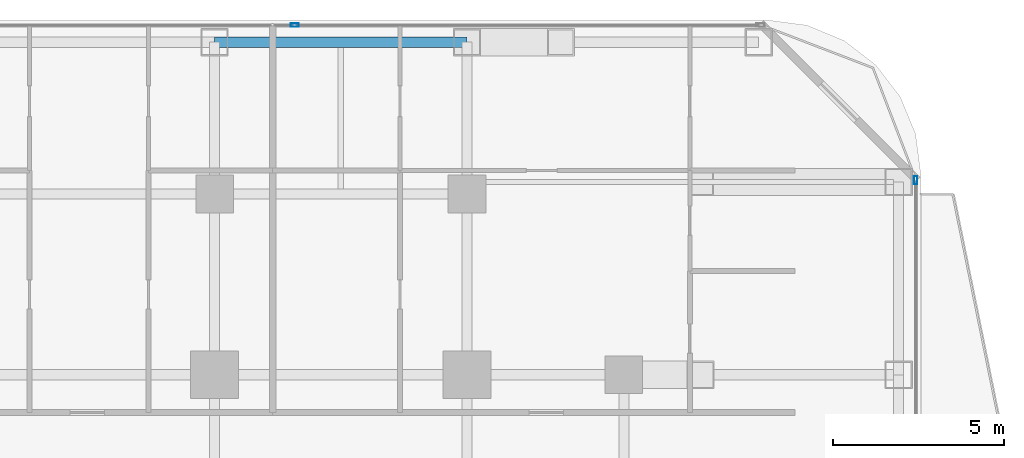
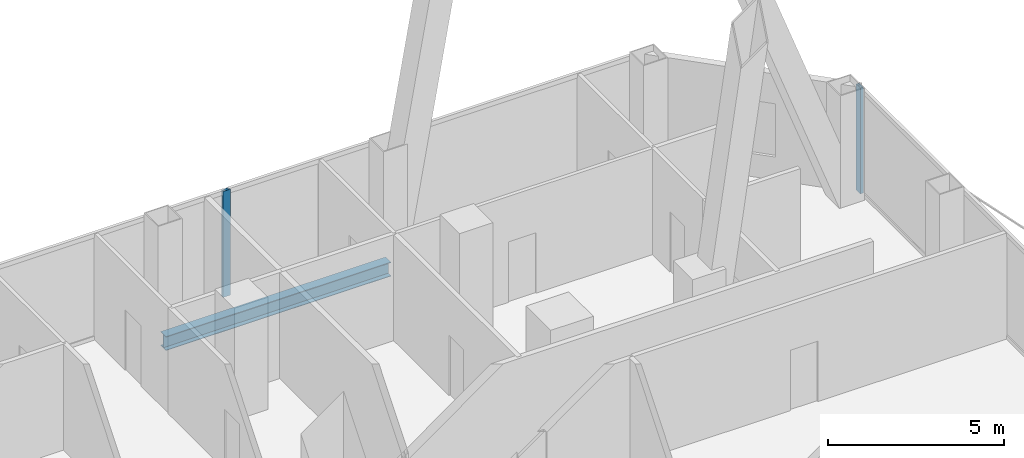
# One storey, part 21 of 33: 2 members, 1 beam, 2 elements without a shape of their own.
"""IFC4 building model written with IfcOpenShell, lengths in metres."""

from ifc_helpers import new_model, si_unit, direction, frame, origin, origin_2d, place, context, subcontext, project, spatial, hollow_rectangle, i_section, extrude, material, layer, layer_set, material_profile, profile_set, type_object, element, aggregate, save


model = new_model("IFC4")

# Units and contexts
model_context = context("Model", 3, precision=1e-05, world=origin(), true_north=direction((0.0, 1.0)))
body_context = subcontext(model_context, "Body", "Model", "MODEL_VIEW")
ifc_project = project(units=[si_unit("LENGTHUNIT", "METRE"), si_unit("AREAUNIT", "SQUARE_METRE"), si_unit("VOLUMEUNIT", "CUBIC_METRE"), si_unit("PLANEANGLEUNIT", "RADIAN"), si_unit("MASSUNIT", "GRAM", prefix="KILO")], contexts=[model_context])

# Site, building, storey
site_placement = place(None, origin())
site = spatial("IfcSite", under=ifc_project, at=site_placement, CompositionType="ELEMENT")
building_placement = place(site_placement, origin())
building = spatial("IfcBuilding", under=site, at=building_placement, Name="Khorvyn Point Tower", CompositionType="ELEMENT")
storey_placement = place(building_placement, frame((0.0, 0.0, 38.39990234375)))
storey = spatial("IfcBuildingStorey", under=building, at=storey_placement, Name="L10", CompositionType="ELEMENT", Elevation=38.39990234375)

# Curtain wall, member
ifc_material_1 = material(Name="Anodised aluminium 6063-T6 and laminated Low-E glass", Category="aluminium")
ifc_layer = layer(ifc_material_1, 0.18994140625)
ifc_layer_set = layer_set([ifc_layer], Name="Stick-Built Finned Residential Curtain Wall CW-SYS-02")
curtain_wall_type = type_object("IfcCurtainWallType", Name="Stick-Built Finned Residential Curtain Wall CW-SYS-02", PredefinedType="NOTDEFINED", material=ifc_layer_set)
curtain_wall_1_placement = place(storey_placement, origin())
curtain_wall_1 = element("IfcCurtainWall", 1, at=curtain_wall_1_placement, inside=storey, type_object=curtain_wall_type, Name="Curtain Wall", PredefinedType="NOTDEFINED")
ifc_material_2 = material(Name="Anodised aluminium 6063-T6", Category="aluminium")
ifc_material_profile_1 = material_profile(ifc_material_2, hollow_rectangle(XDim=0.10009765625, YDim=0.239990234375, WallThickness=0.0048828125, at=origin_2d()))
ifc_profile_set_1 = profile_set([ifc_material_profile_1], Name="Anodised aluminium 6063-T6 ALU-MUL-100x240")
member_type = type_object("IfcMemberType", Name="Anodised Aluminium 6063-T6 Mullion ALU-MUL-100x240", PredefinedType="MULLION", material=ifc_profile_set_1)
member_1_placement = place(storey_placement, frame((9.75, 25.050048828125, 0.0), z_axis=(0.0, 0.0, 1.0), x_axis=(0.0, 1.0, 0.0)))
member_1 = element("IfcMember", 2, at=member_1_placement, type_object=member_type, Name="Transom", PredefinedType="MULLION", context=body_context, shape_type="SweptSolid", body=[
    extrude(hollow_rectangle(XDim=0.10009765625, YDim=0.239990234375, WallThickness=0.0048828125, at=origin_2d()), origin(), (0.0, 0.0, 1.0), 3.68017578125),
])
aggregate(curtain_wall_1, [member_1])

curtain_wall_2_placement = place(storey_placement, origin())
curtain_wall_2 = element("IfcCurtainWall", 3, at=curtain_wall_2_placement, inside=storey, type_object=curtain_wall_type, Name="Curtain Wall", PredefinedType="NOTDEFINED")
member_2_placement = place(storey_placement, frame((27.949951171875, 20.5, 0.0), z_axis=(0.0, 0.0, 1.0), x_axis=(1.0, 0.0, 0.0)))
member_2 = element("IfcMember", 4, at=member_2_placement, type_object=member_type, Name="Transom", PredefinedType="MULLION", context=body_context, shape_type="SweptSolid", body=[
    extrude(hollow_rectangle(XDim=0.10009765625, YDim=0.239990234375, WallThickness=0.0048828125, at=origin_2d()), origin(), (0.0, 0.0, 1.0), 3.68017578125),
])
aggregate(curtain_wall_2, [member_2])

# Beam
ifc_material_3 = material(Name="Steel S355", Category="steel")
ifc_material_profile_2 = material_profile(ifc_material_3, i_section(OverallWidth=0.300048828125, OverallDepth=0.488037109375, WebThickness=0.010986328125, FlangeThickness=0.01806640625, at=origin_2d()))
ifc_profile_set_2 = profile_set([ifc_material_profile_2], Name="Steel S355 H488x300x11x18")
beam_type = type_object("IfcBeamType", Name="Steel S355 Spandrel H488x300x11x18", PredefinedType="SPANDREL", material=ifc_profile_set_2)
beam_placement = place(storey_placement, frame((7.39990234375, 24.550048828125, -0.4638671875), z_axis=(1.0, 0.0, 0.0), x_axis=(0.0, 1.0, 0.0)))
element("IfcBeam", 5, at=beam_placement, inside=storey, type_object=beam_type, Name="Beam", PredefinedType="SPANDREL", context=body_context, shape_type="SweptSolid", body=[
    extrude(i_section(OverallWidth=0.300048828125, OverallDepth=0.488037109375, WebThickness=0.010986328125, FlangeThickness=0.01806640625, at=origin_2d()), origin(), (0.0, 0.0, 1.0), 7.400146484375),
])

save(model, "model.ifc")
